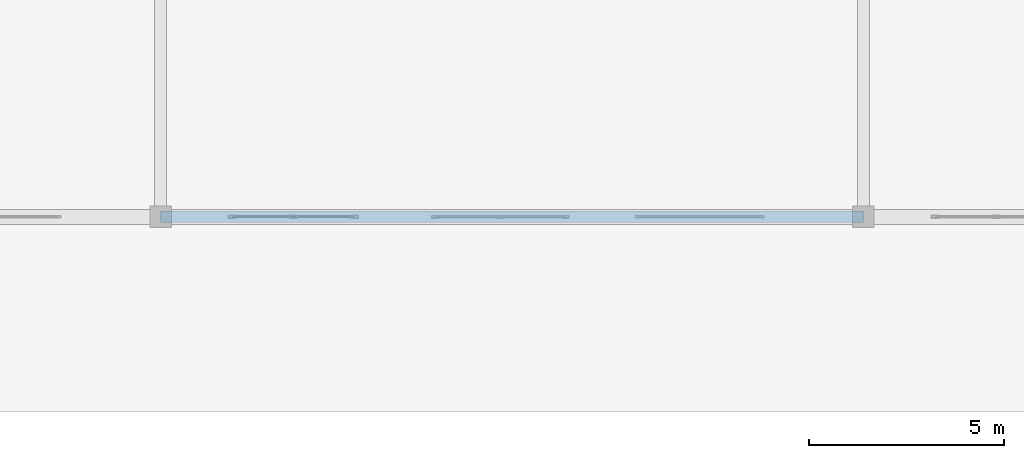
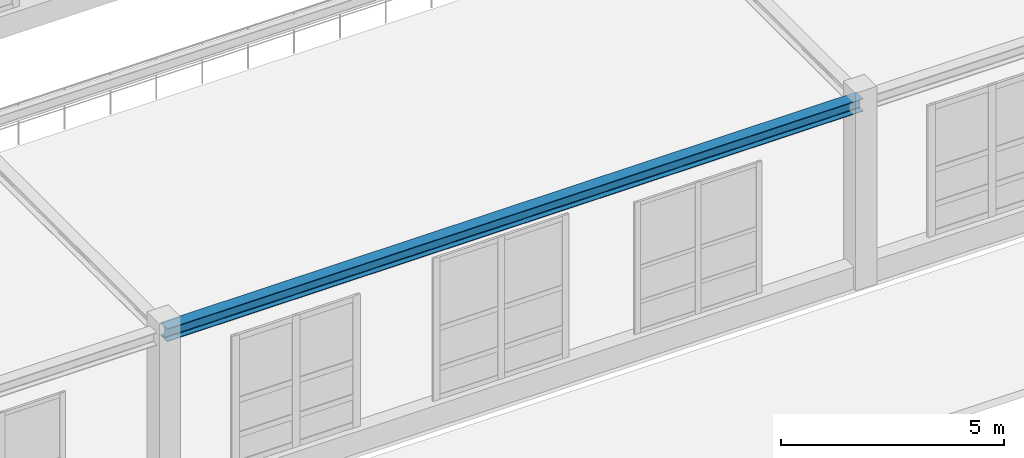
# One storey, part 49 of 197: 1 beam.
"""IFC4 building model written with IfcOpenShell, lengths in metres."""

from ifc_helpers import new_model, si_unit, derived_unit, direction, frame, origin, origin_2d, place, context, subcontext, project, spatial, i_section, extrude, material, material_profile, profile_set, type_object, element, save


model = new_model("IFC4")

# Units and contexts
model_context = context("Model", 3, precision=1e-05, world=origin(), true_north=direction((0.0, 1.0)))
body_context = subcontext(model_context, "Body", "Model", "MODEL_VIEW")
ifc_project = project(units=[si_unit("LENGTHUNIT", "METRE"), si_unit("AREAUNIT", "SQUARE_METRE"), si_unit("VOLUMEUNIT", "CUBIC_METRE"), si_unit("PLANEANGLEUNIT", "RADIAN"), si_unit("MASSUNIT", "GRAM", prefix="KILO"), derived_unit("THERMALTRANSMITTANCEUNIT", [(si_unit("POWERUNIT", "WATT"), 1), (si_unit("LENGTHUNIT", "METRE"), -2), (si_unit("THERMODYNAMICTEMPERATUREUNIT", "KELVIN"), -1)])], contexts=[model_context])

# Site, building, storey
site_placement = place(None, origin())
site = spatial("IfcSite", under=ifc_project, at=site_placement, CompositionType="ELEMENT")
building_placement = place(site_placement, origin())
building = spatial("IfcBuilding", under=site, at=building_placement, Name="Almenara Railside Exhibition Hall", CompositionType="ELEMENT")
storey_placement = place(building_placement, frame((0.0, 0.0, 5.39990234375)))
storey = spatial("IfcBuildingStorey", under=building, at=storey_placement, Name="L01", CompositionType="ELEMENT", Elevation=5.39990234375)

# Beam
ifc_material = material(Name="Structural steel S355JR", Category="steel")
ifc_material_profile = material_profile(ifc_material, i_section(OverallWidth=0.300048828125, OverallDepth=0.35009765625, WebThickness=0.010009765625, FlangeThickness=0.017578125, FilletRadius=0.027099609375, at=origin_2d()), Name="HEA 360")
ifc_profile_set = profile_set([ifc_material_profile], Name="Structural steel S355JR")
beam_type = type_object("IfcBeamType", Name="Steel Concourse Frame Beam HEA 360 S355JR", PredefinedType="BEAM", material=ifc_profile_set)
beam_placement = place(storey_placement, frame((84.0, 36.0, 4.9150390625), z_axis=(1.0, 0.0, 0.0), x_axis=(0.0, 1.0, 0.0)))
element("IfcBeam", 1, at=beam_placement, inside=storey, type_object=beam_type, Name="Beam 0781", PredefinedType="BEAM", context=body_context, shape_type="SweptSolid", body=[
    extrude(i_section(OverallWidth=0.300048828125, OverallDepth=0.35009765625, WebThickness=0.010009765625, FlangeThickness=0.017578125, FilletRadius=0.027099609375, at=origin_2d()), origin(), (0.0, 0.0, 1.0), 18.0),
])

save(model, "model.ifc")
